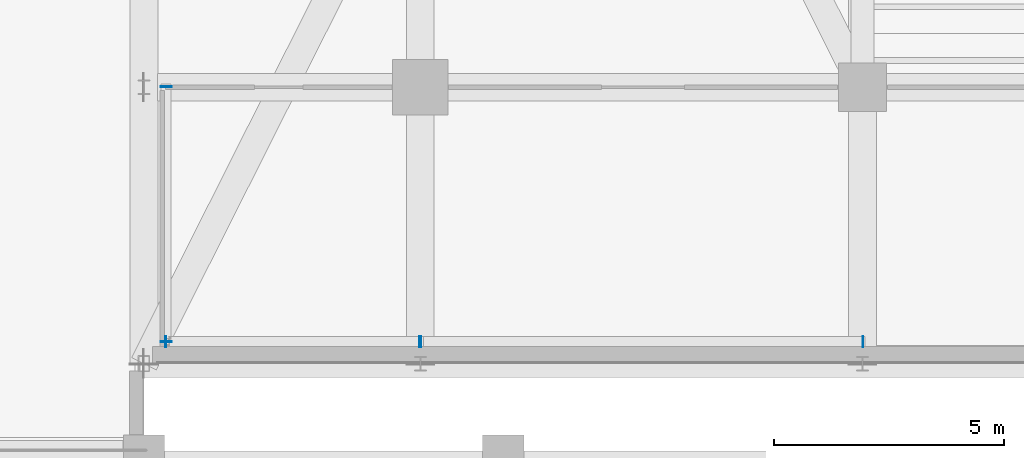
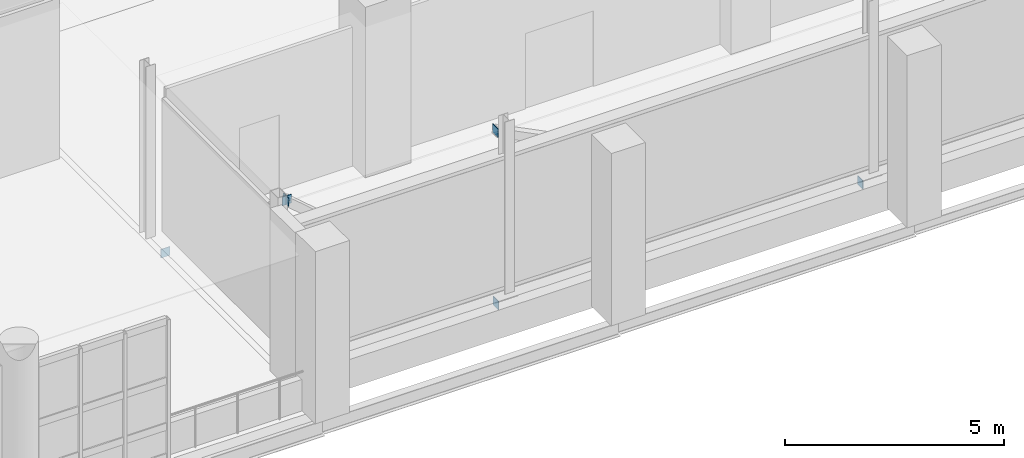
# One storey, part 77 of 100: 6 plates.
"""IFC4 building model written with IfcOpenShell, lengths in metres."""

from ifc_helpers import new_model, si_unit, derived_unit, direction, frame, origin, origin_2d, place, context, subcontext, project, spatial, rectangle, extrude, material, layer, layer_set, type_object, element, save


model = new_model("IFC4")

# Units and contexts
model_context = context("Model", 3, precision=1e-05, world=origin(), true_north=direction((0.0, 1.0)))
body_context = subcontext(model_context, "Body", "Model", "MODEL_VIEW")
ifc_project = project(units=[si_unit("LENGTHUNIT", "METRE"), si_unit("AREAUNIT", "SQUARE_METRE"), si_unit("VOLUMEUNIT", "CUBIC_METRE"), si_unit("PLANEANGLEUNIT", "RADIAN"), si_unit("MASSUNIT", "GRAM", prefix="KILO"), derived_unit("THERMALTRANSMITTANCEUNIT", [(si_unit("POWERUNIT", "WATT"), 1), (si_unit("LENGTHUNIT", "METRE"), -2), (si_unit("THERMODYNAMICTEMPERATUREUNIT", "KELVIN"), -1)])], contexts=[model_context])

# Site, building, storey
site_placement = place(None, origin())
site = spatial("IfcSite", under=ifc_project, at=site_placement, CompositionType="ELEMENT")
building_placement = place(site_placement, origin())
building = spatial("IfcBuilding", under=site, at=building_placement, Name="Nallur Shell Playhouse", CompositionType="ELEMENT")
storey_placement = place(building_placement, frame((0.0, 0.0, 10.199951171875)))
storey = spatial("IfcBuildingStorey", under=building, at=storey_placement, Name="L03", CompositionType="ELEMENT", Elevation=10.199951171875)

# Plates
ifc_material = material(Name="Steel E350", Category="steel")
ifc_layer = layer(ifc_material, 0.02001953125)
ifc_layer_set = layer_set([ifc_layer], Name="Steel E350")
plate_type = type_object("IfcPlateType", Name="PT-ENDCAP-20", PredefinedType="SHEET", material=ifc_layer_set)
for number, where, z_axis, x_axis, name in (
    (1, (64.47998046875, 16.007568359375, -0.78662109375), (0.0, 0.0, 1.0), (1.0, 0.0, 0.0), "Hollow end cap EC-GBD-L03-1-A"),
    (2, (64.47998046875, 10.472412109375, 4.02685546875), (0.0, 0.0, 1.0), (1.0, 0.0, 0.0), "Hollow end cap EC-GBD-L03-1-B"),
):
    element("IfcPlate", number, at=place(storey_placement, frame(where, z_axis=z_axis, x_axis=x_axis)), inside=storey, type_object=plate_type, Name=name, PredefinedType="SHEET", context=body_context, shape_type="SweptSolid", body=[
        extrude(rectangle(XDim=0.239990234375, YDim=0.02001953125, at=origin_2d()), origin(), (0.0, 0.0, 1.0), 0.239990234375),
    ])
for number, where, z_axis, x_axis, name in (
    (3, (70.007568359375, 10.47998046875, -0.78662109375), (0.0, 0.0, 1.0), (1.0, 0.0, 0.0), "Hollow end cap EC-GBD-L03-5-A"),
    (4, (64.472412109375, 10.47998046875, 4.02685546875), (0.0, 0.0, 1.0), (1.0, 0.0, 0.0), "Hollow end cap EC-GBD-L03-5-B"),
    (5, (79.60888671875, 10.47998046875, -0.7841796875), (0.0, 0.0, 1.0), (1.0, 0.0, 0.0), "Hollow end cap EC-GBD-L03-6-A"),
    (6, (69.990966796875, 10.47998046875, 4.0244140625), (0.0, 0.0, 1.0), (1.0, 0.0, 0.0), "Hollow end cap EC-GBD-L03-6-B"),
):
    element("IfcPlate", number, at=place(storey_placement, frame(where, z_axis=z_axis, x_axis=x_axis)), inside=storey, type_object=plate_type, Name=name, PredefinedType="SHEET", context=body_context, shape_type="SweptSolid", body=[
        extrude(rectangle(XDim=0.02001953125, YDim=0.239990234375, at=origin_2d()), origin(), (0.0, 0.0, 1.0), 0.239990234375),
    ])

save(model, "model.ifc")
